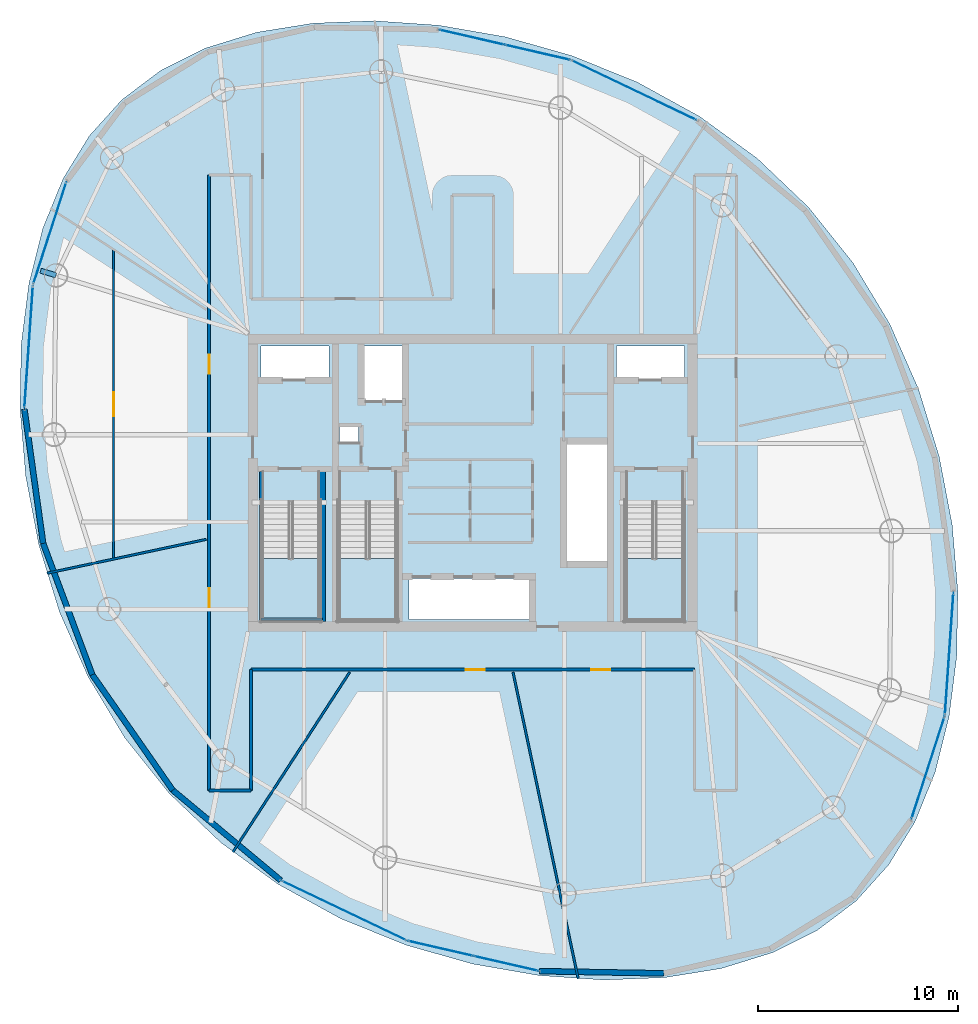
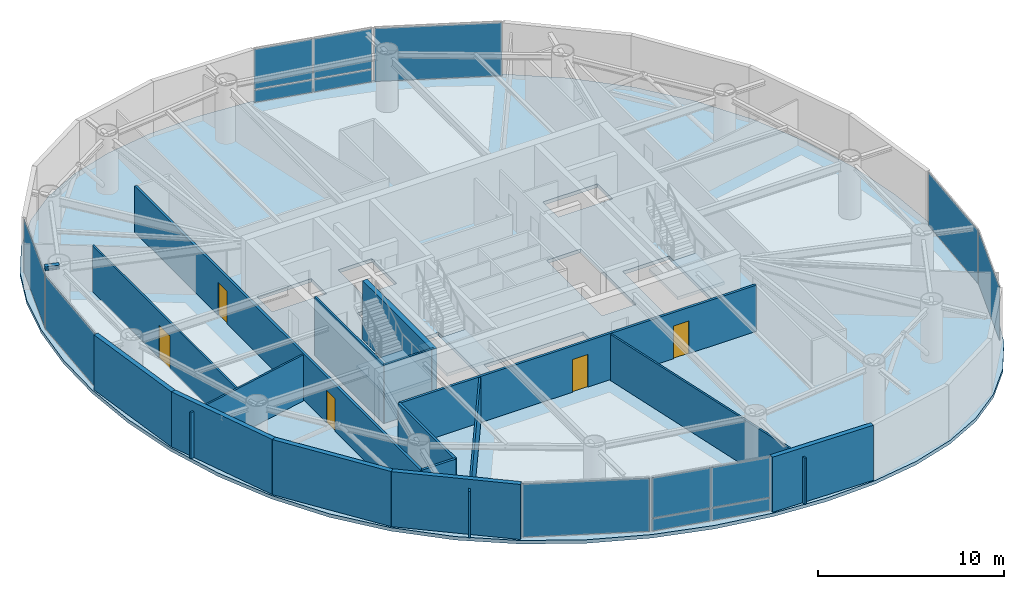
# One storey, part 15 of 22: 16 walls, 14 plates, 5 doors, 4 slabs, 1 beam, 5 openings, 11 elements without a shape of their own.
"""IFC4 building model written with IfcOpenShell, lengths in metres."""

from ifc_helpers import new_model, si_unit, direction, frame, frame_2d, origin, origin_2d, place, context, subcontext, project, spatial, polyline, rectangle, i_section, outline, extrude, material, layer, layer_set, material_profile, profile_set, type_object, element, fill, aggregate, save


model = new_model("IFC4")

# Units and contexts
model_context = context("Model", 3, precision=1e-05, world=origin(), true_north=direction((0.0, 1.0)))
body_context = subcontext(model_context, "Body", "Model", "MODEL_VIEW")
ifc_project = project(units=[si_unit("LENGTHUNIT", "METRE"), si_unit("AREAUNIT", "SQUARE_METRE"), si_unit("VOLUMEUNIT", "CUBIC_METRE"), si_unit("PLANEANGLEUNIT", "RADIAN"), si_unit("MASSUNIT", "GRAM", prefix="KILO")], contexts=[model_context])

# Site, building, storey
site_placement = place(None, origin())
site = spatial("IfcSite", under=ifc_project, at=site_placement, CompositionType="ELEMENT")
building_placement = place(site_placement, origin())
building = spatial("IfcBuilding", under=site, at=building_placement, Name="Bramvorn Convention Spire", CompositionType="ELEMENT")
storey_placement = place(building_placement, frame((0.0, 0.0, 221.25)))
storey = spatial("IfcBuildingStorey", under=building, at=storey_placement, Name="L56", CompositionType="ELEMENT", Elevation=221.25)

# Beam
ifc_material_1 = material(Name="Steel CSA G40.21 Grade 350 (350W)", Category="steel")
ifc_material_profile = material_profile(ifc_material_1, i_section(OverallWidth=0.25390625, OverallDepth=0.2529296875, WebThickness=0.008544921875, FlangeThickness=0.01416015625, FilletRadius=0.011962890625, at=origin_2d()))
ifc_profile_set = profile_set([ifc_material_profile], Name="Steel CSA G40.21 Grade 350 (350W) - W250X73")
beam_type = type_object("IfcBeamType", Name="BM-W250X73", PredefinedType="BEAM", material=ifc_profile_set)
beam_placement = place(storey_placement, frame((17.136962890625, 36.380615234375, 3.493408203125), z_axis=(-0.956599941343, 0.291404447841, 0.0), x_axis=(-0.291404447841, -0.956599941343, 0.0)))
element("IfcBeam", 1, at=beam_placement, inside=storey, type_object=beam_type, Name="L56 slab-edge cantilever tip beam MC10", PredefinedType="BEAM", context=body_context, shape_type="SweptSolid", body=[
    extrude(i_section(OverallWidth=0.25390625, OverallDepth=0.2529296875, WebThickness=0.008544921875, FlangeThickness=0.01416015625, FilletRadius=0.011962890625, at=origin_2d()), origin(), (0.0, 0.0, 1.0), 0.800048828125),
])

# Curtain wall, plate
ifc_material_2 = material(Name="Anodised Bronze Unitised Curtain Wall", Category="aluminium")
ifc_layer_1 = layer(ifc_material_2, 0.179931640625)
ifc_layer_set_1 = layer_set([ifc_layer_1], Name="Anodised Bronze Unitised Curtain Wall - CW-OFF-FRIT")
curtain_wall_type = type_object("IfcCurtainWallType", Name="CW-OFF-FRIT", PredefinedType="USERDEFINED", material=ifc_layer_set_1)
curtain_wall_1_placement = place(storey_placement, origin())
curtain_wall_1 = element("IfcCurtainWall", 2, at=curtain_wall_1_placement, inside=storey, type_object=curtain_wall_type, Name="L56 fritted glass curtain wall 02", ObjectType="UNITISED CURTAIN WALL", PredefinedType="USERDEFINED")
ifc_material_3 = material(Name="Laminated Low-E Glass (Triple IGU Solar Bronze Frit 28%)", Category="glass")
ifc_layer_2 = layer(ifc_material_3, 0.0400390625)
ifc_layer_set_2 = layer_set([ifc_layer_2], Name="Laminated Low-E Glass (Triple IGU Solar Bronze Frit 28%) - PNL-IGU-3")
plate_type = type_object("IfcPlateType", Name="PNL-IGU-3", PredefinedType="CURTAIN_PANEL", material=ifc_layer_set_2)
plate_1_placement = place(storey_placement, frame((60.78955078125, 11.73583984375, 0.06005859375), z_axis=(0.0, 0.0, 1.0), x_axis=(-0.308113095698, -0.951349736038, 0.0)))
plate_1 = element("IfcPlate", 3, at=plate_1_placement, type_object=plate_type, Name="CW3 panel 1.1", PredefinedType="CURTAIN_PANEL", context=body_context, shape_type="SweptSolid", body=[
    extrude(rectangle(XDim=5.344482421875, YDim=0.028076171875, at=origin_2d()), origin(), (0.0, 0.0, 1.0), 3.5),
])
aggregate(curtain_wall_1, [plate_1])

curtain_wall_2_placement = place(storey_placement, origin())
curtain_wall_2 = element("IfcCurtainWall", 4, at=curtain_wall_2_placement, inside=storey, type_object=curtain_wall_type, Name="L56 fritted glass curtain wall 03", ObjectType="UNITISED CURTAIN WALL", PredefinedType="USERDEFINED")
plate_2_placement = place(storey_placement, frame((61.84765625, 17.44091796875, 0.06005859375), z_axis=(0.0, 0.0, 1.0), x_axis=(-0.06939903058, -0.99758898077, 0.0)))
plate_2 = element("IfcPlate", 5, at=plate_2_placement, type_object=plate_type, Name="CW3 panel 1.1", PredefinedType="CURTAIN_PANEL", context=body_context, shape_type="SweptSolid", body=[
    extrude(rectangle(XDim=6.106201171875, YDim=0.028076171875, at=origin_2d()), origin(), (0.0, 0.0, 1.0), 3.5),
])
aggregate(curtain_wall_2, [plate_2])

curtain_wall_3_placement = place(storey_placement, origin())
curtain_wall_3 = element("IfcCurtainWall", 6, at=curtain_wall_3_placement, inside=storey, type_object=curtain_wall_type, Name="L56 fritted glass curtain wall 08", ObjectType="UNITISED CURTAIN WALL", PredefinedType="USERDEFINED")
plate_3_placement = place(storey_placement, frame((46.06494140625, 45.646484375, 0.06005859375), z_axis=(0.0, 0.0, 1.0), x_axis=(0.90251464839, -0.430659156923, 0.0)))
plate_3 = element("IfcPlate", 7, at=plate_3_placement, type_object=plate_type, Name="CW3 panel 1.1", PredefinedType="CURTAIN_PANEL", context=body_context, shape_type="SweptSolid", body=[
    extrude(rectangle(XDim=6.897705078125, YDim=0.028076171875, at=origin_2d()), origin(), (0.0, 0.0, 1.0), 3.5),
])
aggregate(curtain_wall_3, [plate_3])

# Curtain wall, plates
curtain_wall_4_placement = place(storey_placement, origin())
curtain_wall_4 = element("IfcCurtainWall", 8, at=curtain_wall_4_placement, inside=storey, type_object=curtain_wall_type, Name="L56 fritted glass curtain wall 09", ObjectType="UNITISED CURTAIN WALL", PredefinedType="USERDEFINED")
plate_4_placement = place(storey_placement, frame((37.95361328125, 48.29443359375, 0.06005859375), z_axis=(0.0, 0.0, 1.0), x_axis=(0.974576432663, -0.224055298751, 0.0)))
plate_4 = element("IfcPlate", 9, at=plate_4_placement, type_object=plate_type, Name="CW3 panel 1.1", PredefinedType="CURTAIN_PANEL", context=body_context, shape_type="SweptSolid", body=[
    extrude(rectangle(XDim=3.30224609375, YDim=0.028076171875, at=origin_2d()), origin(), (0.0, 0.0, 1.0), 0.81005859375),
])
plate_5_placement = place(storey_placement, frame((37.95361328125, 48.29443359375, 0.93017578125), z_axis=(0.0, 0.0, 1.0), x_axis=(0.974576432663, -0.224055298751, 0.0)))
plate_5 = element("IfcPlate", 10, at=plate_5_placement, type_object=plate_type, Name="CW3 panel 1.2", PredefinedType="CURTAIN_PANEL", context=body_context, shape_type="SweptSolid", body=[
    extrude(rectangle(XDim=3.30224609375, YDim=0.028076171875, at=origin_2d()), origin(), (0.0, 0.0, 1.0), 2.6298828125),
])
plate_6_placement = place(storey_placement, frame((41.23046875, 47.541015625, 0.06005859375), z_axis=(0.0, 0.0, 1.0), x_axis=(0.974576432663, -0.224055298751, 0.0)))
plate_6 = element("IfcPlate", 11, at=plate_6_placement, type_object=plate_type, Name="CW3 panel 2.1", PredefinedType="CURTAIN_PANEL", context=body_context, shape_type="SweptSolid", body=[
    extrude(rectangle(XDim=3.30224609375, YDim=0.028076171875, at=origin_2d()), origin(), (0.0, 0.0, 1.0), 0.81005859375),
])
plate_7_placement = place(storey_placement, frame((41.23046875, 47.541015625, 0.93017578125), z_axis=(0.0, 0.0, 1.0), x_axis=(0.974576432663, -0.224055298751, 0.0)))
plate_7 = element("IfcPlate", 12, at=plate_7_placement, type_object=plate_type, Name="CW3 panel 2.2", PredefinedType="CURTAIN_PANEL", context=body_context, shape_type="SweptSolid", body=[
    extrude(rectangle(XDim=3.30224609375, YDim=0.028076171875, at=origin_2d()), origin(), (0.0, 0.0, 1.0), 2.6298828125),
])
aggregate(curtain_wall_4, [plate_4, plate_5, plate_6, plate_7])

# Curtain wall, plate
curtain_wall_5_placement = place(storey_placement, origin())
curtain_wall_5 = element("IfcCurtainWall", 13, at=curtain_wall_5_placement, inside=storey, type_object=curtain_wall_type, Name="L56 fritted glass curtain wall 14", ObjectType="UNITISED CURTAIN WALL", PredefinedType="USERDEFINED")
plate_8_placement = place(storey_placement, frame((16.831787109375, 38.49462890625, 0.06005859375), z_axis=(0.0, 0.0, 1.0), x_axis=(0.308135022455, 0.951342634352, 0.0)))
plate_8 = element("IfcPlate", 14, at=plate_8_placement, type_object=plate_type, Name="CW3 panel 1.1", PredefinedType="CURTAIN_PANEL", context=body_context, shape_type="SweptSolid", body=[
    extrude(rectangle(XDim=5.344482421875, YDim=0.028076171875, at=origin_2d()), origin(), (0.0, 0.0, 1.0), 3.5),
])
aggregate(curtain_wall_5, [plate_8])

curtain_wall_6_placement = place(storey_placement, origin())
curtain_wall_6 = element("IfcCurtainWall", 15, at=curtain_wall_6_placement, inside=storey, type_object=curtain_wall_type, Name="L56 fritted glass curtain wall 15", ObjectType="UNITISED CURTAIN WALL", PredefinedType="USERDEFINED")
plate_9_placement = place(storey_placement, frame((15.77392578125, 32.78955078125, 0.06005859375), z_axis=(0.0, 0.0, 1.0), x_axis=(0.069381935371, 0.997590169881, 0.0)))
plate_9 = element("IfcPlate", 16, at=plate_9_placement, type_object=plate_type, Name="CW3 panel 1.1", PredefinedType="CURTAIN_PANEL", context=body_context, shape_type="SweptSolid", body=[
    extrude(rectangle(XDim=6.1064453125, YDim=0.028076171875, at=origin_2d()), origin(), (0.0, 0.0, 1.0), 3.5),
])
aggregate(curtain_wall_6, [plate_9])

curtain_wall_7_placement = place(storey_placement, origin())
curtain_wall_7 = element("IfcCurtainWall", 17, at=curtain_wall_7_placement, inside=storey, type_object=curtain_wall_type, Name="L56 fritted glass curtain wall 20", ObjectType="UNITISED CURTAIN WALL", PredefinedType="USERDEFINED")
plate_10_placement = place(storey_placement, frame((31.556640625, 4.583984375, 0.06005859375), z_axis=(0.0, 0.0, 1.0), x_axis=(-0.90251464839, 0.430659156923, 0.0)))
plate_10 = element("IfcPlate", 18, at=plate_10_placement, type_object=plate_type, Name="CW3 panel 1.1", PredefinedType="CURTAIN_PANEL", context=body_context, shape_type="SweptSolid", body=[
    extrude(rectangle(XDim=6.897705078125, YDim=0.028076171875, at=origin_2d()), origin(), (0.0, 0.0, 1.0), 3.5),
])
aggregate(curtain_wall_7, [plate_10])

# Curtain wall, plates
curtain_wall_8_placement = place(storey_placement, origin())
curtain_wall_8 = element("IfcCurtainWall", 19, at=curtain_wall_8_placement, inside=storey, type_object=curtain_wall_type, Name="L56 fritted glass curtain wall 21", ObjectType="UNITISED CURTAIN WALL", PredefinedType="USERDEFINED")
plate_11_placement = place(storey_placement, frame((39.667724609375, 1.93603515625, 0.06005859375), z_axis=(0.0, 0.0, 1.0), x_axis=(-0.974576432663, 0.224055298751, 0.0)))
plate_11 = element("IfcPlate", 20, at=plate_11_placement, type_object=plate_type, Name="CW3 panel 1.1", PredefinedType="CURTAIN_PANEL", context=body_context, shape_type="SweptSolid", body=[
    extrude(rectangle(XDim=3.30224609375, YDim=0.028076171875, at=origin_2d()), origin(), (0.0, 0.0, 1.0), 0.81005859375),
])
plate_12_placement = place(storey_placement, frame((39.667724609375, 1.93603515625, 0.93017578125), z_axis=(0.0, 0.0, 1.0), x_axis=(-0.974576432663, 0.224055298751, 0.0)))
plate_12 = element("IfcPlate", 21, at=plate_12_placement, type_object=plate_type, Name="CW3 panel 1.2", PredefinedType="CURTAIN_PANEL", context=body_context, shape_type="SweptSolid", body=[
    extrude(rectangle(XDim=3.30224609375, YDim=0.028076171875, at=origin_2d()), origin(), (0.0, 0.0, 1.0), 2.6298828125),
])
plate_13_placement = place(storey_placement, frame((36.390869140625, 2.689453125, 0.06005859375), z_axis=(0.0, 0.0, 1.0), x_axis=(-0.974576432663, 0.224055298751, 0.0)))
plate_13 = element("IfcPlate", 22, at=plate_13_placement, type_object=plate_type, Name="CW3 panel 2.1", PredefinedType="CURTAIN_PANEL", context=body_context, shape_type="SweptSolid", body=[
    extrude(rectangle(XDim=3.30224609375, YDim=0.028076171875, at=origin_2d()), origin(), (0.0, 0.0, 1.0), 0.81005859375),
])
plate_14_placement = place(storey_placement, frame((36.390869140625, 2.689453125, 0.93017578125), z_axis=(0.0, 0.0, 1.0), x_axis=(-0.974576432663, 0.224055298751, 0.0)))
plate_14 = element("IfcPlate", 23, at=plate_14_placement, type_object=plate_type, Name="CW3 panel 2.2", PredefinedType="CURTAIN_PANEL", context=body_context, shape_type="SweptSolid", body=[
    extrude(rectangle(XDim=3.30224609375, YDim=0.028076171875, at=origin_2d()), origin(), (0.0, 0.0, 1.0), 2.6298828125),
])
aggregate(curtain_wall_8, [plate_11, plate_12, plate_13, plate_14])

# Stair, slab
ifc_material_4 = material(Name="Concrete C40/50 Precast Stair", Category="concrete")
stair_type = type_object("IfcStairType", Name="ST-TOWER-1550", PredefinedType="HALF_TURN_STAIR", material=ifc_material_4)
stair_1_placement = place(storey_placement, origin())
stair_1 = element("IfcStair", 24, at=stair_1_placement, inside=storey, type_object=stair_type, Name="L56 Protected Exit Stair ST1", PredefinedType="HALF_TURN_STAIR")
ifc_material_5 = material(Name="Concrete C40/50 Stair Landing", Category="concrete")
ifc_layer_3 = layer(ifc_material_5, 0.219970703125)
ifc_layer_set_3 = layer_set([ifc_layer_3], Name="Concrete C40/50 Stair Landing - SLB-STAIR-LANDING")
slab_type_1 = type_object("IfcSlabType", Name="SLB-STAIR-LANDING", PredefinedType="LANDING", material=ifc_layer_set_3)
slab_1_placement = place(storey_placement, frame((0.0, 0.0, 1.72509765625)))
slab_1 = element("IfcSlab", 25, at=slab_1_placement, type_object=slab_type_1, Name="ST1 landing 1", PredefinedType="LANDING", context=body_context, shape_type="SweptSolid", body=[
    extrude(outline(polyline([(27.449951171875, 22.199951171875), (27.449951171875, 19.10009765625), (30.35009765625, 19.10009765625), (30.35009765625, 22.199951171875), (27.449951171875, 22.199951171875)])), origin(), (0.0, 0.0, 1.0), 0.199951171875),
])
aggregate(stair_1, [slab_1])

stair_2_placement = place(storey_placement, origin())
stair_2 = element("IfcStair", 26, at=stair_2_placement, inside=storey, type_object=stair_type, Name="L56 Protected Exit Stair ST2", PredefinedType="HALF_TURN_STAIR")
slab_2_placement = place(storey_placement, frame((0.0, 0.0, 1.72509765625)))
slab_2 = element("IfcSlab", 27, at=slab_2_placement, type_object=slab_type_1, Name="ST2 landing 1", PredefinedType="LANDING", context=body_context, shape_type="SweptSolid", body=[
    extrude(outline(polyline([(45.64990234375, 22.199951171875), (45.64990234375, 19.10009765625), (48.550048828125, 19.10009765625), (48.550048828125, 22.199951171875), (45.64990234375, 22.199951171875)])), origin(), (0.0, 0.0, 1.0), 0.199951171875),
])
aggregate(stair_2, [slab_2])

stair_3_placement = place(storey_placement, origin())
stair_3 = element("IfcStair", 28, at=stair_3_placement, inside=storey, type_object=stair_type, Name="L56 Protected Exit Stair ST3", PredefinedType="HALF_TURN_STAIR")
slab_3_placement = place(storey_placement, frame((0.0, 0.0, 1.72509765625)))
slab_3 = element("IfcSlab", 29, at=slab_3_placement, type_object=slab_type_1, Name="ST3 landing 1", PredefinedType="LANDING", context=body_context, shape_type="SweptSolid", body=[
    extrude(outline(polyline([(31.300048828125, 22.199951171875), (31.300048828125, 19.10009765625), (34.199951171875, 19.10009765625), (34.199951171875, 22.199951171875), (31.300048828125, 22.199951171875)])), origin(), (0.0, 0.0, 1.0), 0.199951171875),
])
aggregate(stair_3, [slab_3])

# Slab
ifc_material_6 = material(Name="Concrete C40/50", Category="concrete")
ifc_layer_4 = layer(ifc_material_6, 0.22998046875)
ifc_layer_set_4 = layer_set([ifc_layer_4], Name="Concrete C40/50 - SLB-Z3-230")
slab_type_2 = type_object("IfcSlabType", Name="SLB-Z3-230", PredefinedType="FLOOR", material=ifc_layer_set_4)
slab_4_placement = place(storey_placement, frame((0.0, 0.0, -0.22998046875)))
element("IfcSlab", 30, at=slab_4_placement, inside=storey, type_object=slab_type_2, Name="L56 tower floor slab", PredefinedType="FLOOR", context=body_context, shape_type="SweptSolid", body=[
    extrude(outline(polyline([(57.186767578125, 5.061279296875), (58.814453125, 6.868408203125), (60.13037109375, 9.015625), (61.13818359375, 11.490478515625), (61.838134765625, 14.26611328125), (62.22412109375, 17.30078125), (62.283203125, 20.537109375), (61.997802734375, 23.903564453125), (61.345947265625, 27.31884765625), (60.30859375, 30.6962890625), (58.872802734375, 33.9501953125), (57.037109375, 37.001220703125), (54.8154296875, 39.781005859375), (52.239990234375, 42.236328125), (49.360595703125, 44.3310546875), (46.244140625, 46.044921875), (42.969970703125, 47.372802734375), (39.62451171875, 48.319580078125), (36.295654296875, 48.897705078125), (33.066650390625, 49.12060546875), (30.009765625, 49.00048828125), (27.18359375, 48.54541015625), (24.630615234375, 47.757080078125), (22.376708984375, 46.633056640625), (20.434814453125, 45.169189453125), (18.806884765625, 43.362060546875), (17.490966796875, 41.21484375), (16.483154296875, 38.739990234375), (15.783203125, 35.96435546875), (15.3974609375, 32.9296875), (15.338134765625, 29.693603515625), (15.623779296875, 26.326904296875), (16.275390625, 22.911865234375), (17.312744140625, 19.5341796875), (18.74853515625, 16.2802734375), (20.584228515625, 13.229248046875), (22.805908203125, 10.44970703125), (25.38134765625, 7.994140625), (28.2607421875, 5.8994140625), (31.377197265625, 4.185546875), (34.651611328125, 2.85791015625), (37.9970703125, 1.910888671875), (41.32568359375, 1.3330078125), (44.5546875, 1.110107421875), (47.611572265625, 1.22998046875), (50.437744140625, 1.685302734375), (52.99072265625, 2.473388671875), (55.24462890625, 3.597412109375), (57.186767578125, 5.061279296875)]), holes=[polyline([(27.449951171875, 25.050048828125), (27.449951171875, 19.10009765625), (30.35009765625, 19.10009765625), (30.35009765625, 25.050048828125), (27.449951171875, 25.050048828125)]), polyline([(45.64990234375, 25.050048828125), (45.64990234375, 19.10009765625), (48.550048828125, 19.10009765625), (48.550048828125, 25.050048828125), (45.64990234375, 25.050048828125)]), polyline([(31.300048828125, 25.050048828125), (31.300048828125, 19.10009765625), (34.199951171875, 19.10009765625), (34.199951171875, 25.050048828125), (31.300048828125, 25.050048828125)]), polyline([(27.39990234375, 31.219970703125), (30.800048828125, 31.219970703125), (30.800048828125, 32.85009765625), (27.39990234375, 32.85009765625), (27.39990234375, 31.219970703125)]), polyline([(45.199951171875, 31.219970703125), (48.60009765625, 31.219970703125), (48.60009765625, 32.85009765625), (45.199951171875, 32.85009765625), (45.199951171875, 31.219970703125)]), polyline([(32.449951171875, 30.14990234375), (34.56005859375, 30.14990234375), (34.56005859375, 32.85009765625), (32.449951171875, 32.85009765625), (32.449951171875, 30.14990234375)]), polyline([(34.800048828125, 19.14990234375), (40.97998046875, 19.14990234375), (40.97998046875, 21.199951171875), (34.800048828125, 21.199951171875), (34.800048828125, 19.14990234375)]), polyline([(42.6201171875, 22.0), (44.75, 22.0), (44.75, 28.0), (42.6201171875, 28.0), (42.6201171875, 22.0)]), polyline([(31.320068359375, 28.02001953125), (32.280029296875, 28.02001953125), (32.280029296875, 28.820068359375), (31.320068359375, 28.820068359375), (31.320068359375, 28.02001953125)])]), origin(), (0.0, 0.0, 1.0), 0.22998046875),
])

# Walls
ifc_material_7 = material(Name="Precast Concrete C40/50 with Bronze Terracotta Rainscreen", Category="masonry")
ifc_layer_5 = layer(ifc_material_7, 0.300048828125)
ifc_layer_set_5 = layer_set([ifc_layer_5], Name="Precast Concrete C40/50 with Bronze Terracotta Rainscreen - WL-EXT-BRONZE-300")
wall_type_1 = type_object("IfcWallType", Name="WL-EXT-BRONZE-300", PredefinedType="SOLIDWALL", material=ifc_layer_set_5)
wall_1_placement = place(storey_placement, frame((16.495849609375, 22.964599609375, 0.0), z_axis=(0.0, 0.0, 1.0), x_axis=(-0.13825677768, 0.990396417313, 0.0)))
element("IfcWall", 31, at=wall_1_placement, inside=storey, type_object=wall_type_1, Name="L56 expressed bronze Gothic lancet pier wall 16", PredefinedType="SOLIDWALL", context=body_context, shape_type="SweptSolid", body=[
    extrude(rectangle(XDim=6.784423828125, YDim=0.280029296875, at=frame_2d((3.39208984375, 0.0))), origin(), (0.0, 0.0, 1.0), 3.6201171875),
])
wall_2_placement = place(storey_placement, frame((18.95458984375, 16.3916015625, 0.0), z_axis=(0.0, 0.0, 1.0), x_axis=(-0.350357019434, 0.936616228203, 0.0)))
element("IfcWall", 32, at=wall_2_placement, inside=storey, type_object=wall_type_1, Name="L56 expressed bronze Gothic lancet pier wall 17", PredefinedType="SOLIDWALL", context=body_context, shape_type="SweptSolid", body=[
    extrude(rectangle(XDim=7.017822265625, YDim=0.280029296875, at=frame_2d((3.5087890625, 0.0))), origin(), (0.0, 0.0, 1.0), 3.6201171875),
])
wall_3_placement = place(storey_placement, frame((22.981201171875, 10.610107421875, 0.0), z_axis=(0.0, 0.0, 1.0), x_axis=(-0.571514171207, 0.820592195984, 0.0)))
element("IfcWall", 33, at=wall_3_placement, inside=storey, type_object=wall_type_1, Name="L56 expressed bronze Gothic lancet pier wall 18", PredefinedType="SOLIDWALL", context=body_context, shape_type="SweptSolid", body=[
    extrude(rectangle(XDim=7.04541015625, YDim=0.280029296875, at=frame_2d((3.522705078125, 0.0))), origin(), (0.0, 0.0, 1.0), 3.6201171875),
])
wall_4_placement = place(storey_placement, frame((28.389892578125, 6.094970703125, 0.0), z_axis=(0.0, 0.0, 1.0), x_axis=(-0.767669978916, 0.640845381876, 0.0)))
element("IfcWall", 34, at=wall_4_placement, inside=storey, type_object=wall_type_1, Name="L56 expressed bronze Gothic lancet pier wall 19", PredefinedType="SOLIDWALL", context=body_context, shape_type="SweptSolid", body=[
    extrude(rectangle(XDim=7.045654296875, YDim=0.280029296875, at=frame_2d((3.52294921875, 0.0))), origin(), (0.0, 0.0, 1.0), 3.6201171875),
])
wall_5_placement = place(storey_placement, frame((47.560791015625, 1.44189453125, 0.0), z_axis=(0.0, 0.0, 1.0), x_axis=(-0.999841547857, 0.017801100499, 0.0)))
element("IfcWall", 35, at=wall_5_placement, inside=storey, type_object=wall_type_1, Name="L56 expressed bronze Gothic lancet pier wall 22", PredefinedType="SOLIDWALL", context=body_context, shape_type="SweptSolid", body=[
    extrude(rectangle(XDim=6.2265625, YDim=0.280029296875, at=frame_2d((3.11328125, 0.0))), origin(), (0.0, 0.0, 1.0), 3.6201171875),
])
ifc_material_8 = material(Name="Lightweight En-Suite & Wet-Wall Partition", Category="gypsum")
ifc_layer_6 = layer(ifc_material_8, 0.110107421875)
ifc_layer_set_6 = layer_set([ifc_layer_6], Name="Lightweight En-Suite & Wet-Wall Partition - WL-PART-110")
wall_type_2 = type_object("IfcWallType", Name="WL-PART-110", PredefinedType="PARTITIONING", material=ifc_layer_set_6)
wall_6_placement = place(storey_placement, frame((24.659912109375, 23.16455078125, 0.0), z_axis=(0.0, 0.0, 1.0), x_axis=(-0.978144691983, -0.207925374944, 0.0)))
element("IfcWall", 36, at=wall_6_placement, inside=storey, type_object=wall_type_2, Name="L56 Tenant suite partition 5", PredefinedType="PARTITIONING", context=body_context, shape_type="SweptSolid", body=[
    extrude(rectangle(XDim=8.15234375, YDim=0.110107421875, at=frame_2d((4.076171875, 0.0))), origin(), (0.0, 0.0, 1.0), 3.034912109375),
])
wall_7_placement = place(storey_placement, frame((31.837158203125, 16.510009765625, 0.0), z_axis=(0.0, 0.0, 1.0), x_axis=(-0.544642851203, -0.838668089672, 0.0)))
element("IfcWall", 37, at=wall_7_placement, inside=storey, type_object=wall_type_2, Name="L56 Tenant suite partition 6", PredefinedType="PARTITIONING", context=body_context, shape_type="SweptSolid", body=[
    extrude(rectangle(XDim=10.731201171875, YDim=0.110107421875, at=frame_2d((5.36572265625, 0.0))), origin(), (0.0, 0.0, 1.0), 3.034912109375),
])
wall_8_placement = place(storey_placement, frame((40.01708984375, 16.510009765625, 0.0), z_axis=(0.0, 0.0, 1.0), x_axis=(0.207914047214, -0.978147099863, 0.0)))
element("IfcWall", 38, at=wall_8_placement, inside=storey, type_object=wall_type_2, Name="L56 Tenant suite partition 7", PredefinedType="PARTITIONING", context=body_context, shape_type="SweptSolid", body=[
    extrude(rectangle(XDim=15.684326171875, YDim=0.110107421875, at=frame_2d((7.84228515625, 0.0))), origin(), (0.0, 0.0, 1.0), 3.034912109375),
])

# Wall, opening, door
wall_9_placement = place(storey_placement, frame((20.020751953125, 22.157958984375, 0.0), z_axis=(0.0, 0.0, 1.0), x_axis=(0.0, 1.0, 0.0)))
wall_9 = element("IfcWall", 39, at=wall_9_placement, inside=storey, type_object=wall_type_2, Name="L56 Associate Office Chamber 4 inner suite partition", PredefinedType="PARTITIONING", context=body_context, shape_type="SweptSolid", body=[
    extrude(rectangle(XDim=15.541748046875, YDim=0.110107421875, at=frame_2d((7.77099609375, 0.0))), origin(), (0.0, 0.0, 1.0), 3.034912109375),
])
opening_1_placement = place(wall_9_placement, frame((7.1708984375, 0.0, 0.0)))
opening_1 = element("IfcOpeningElement", 40, at=opening_1_placement, cuts=wall_9, Name="Opening DSL-12", PredefinedType="OPENING", context=body_context, shape_type="SweptSolid", body=[
    extrude(rectangle(XDim=1.199951171875, YDim=2.14990234375, at=frame_2d((0.60009765625, 1.074951171875))), frame((0.0, 0.06494140625, 0.0), z_axis=(0.0, -1.0, 0.0), x_axis=(1.0, 0.0, 0.0)), (0.0, 0.0, 1.0), 0.130126953125),
])
ifc_material_9 = material(Name="Pocket Sliding Bronze-Framed Glass Suite Door", Category="glass")
door_type_1 = type_object("IfcDoorType", Name="DR-SLIDE-1200", OperationType="NOTDEFINED", PredefinedType="DOOR", material=ifc_material_9)
door_1_placement = place(opening_1_placement, origin())
door_1 = element("IfcDoor", 41, at=door_1_placement, inside=storey, type_object=door_type_1, Name="L56 Inner Suite 4 door", OperationType="SLIDING_TO_RIGHT", OverallHeight=2.14990234375, OverallWidth=1.199951171875, PredefinedType="DOOR", context=body_context, shape_type="SweptSolid", body=[
    extrude(rectangle(XDim=1.199951171875, YDim=2.14990234375, at=frame_2d((0.60009765625, 1.074951171875))), frame((0.0, 0.02490234375, 0.0), z_axis=(0.0, -1.0, 0.0), x_axis=(1.0, 0.0, 0.0)), (0.0, 0.0, 1.0), 0.050048828125),
])
fill(opening_1, door_1)

# Wall, openings, doors
ifc_material_10 = material(Name="Acoustic Metal-Stud Tenant/Corridor Partition", Category="gypsum")
ifc_layer_7 = layer(ifc_material_10, 0.14990234375)
ifc_layer_set_7 = layer_set([ifc_layer_7], Name="Acoustic Metal-Stud Tenant/Corridor Partition - WL-PART-150")
wall_type_3 = type_object("IfcWallType", Name="WL-PART-150", PredefinedType="PARTITIONING", material=ifc_layer_set_7)
wall_10_placement = place(storey_placement, frame((26.89990234375, 16.64990234375, 0.0), z_axis=(0.0, 0.0, 1.0), x_axis=(1.0, 0.0, 0.0)))
wall_10 = element("IfcWall", 42, at=wall_10_placement, inside=storey, type_object=wall_type_3, Name="L56 South H-crossbar wall", PredefinedType="PARTITIONING", context=body_context, shape_type="SweptSolid", body=[
    extrude(rectangle(XDim=22.2001953125, YDim=0.14990234375, at=frame_2d((11.10009765625, 0.0))), origin(), (0.0, 0.0, 1.0), 3.034912109375),
])
opening_2_placement = place(wall_10_placement, frame((10.74365234375, 0.0, 0.0)))
opening_2 = element("IfcOpeningElement", 43, at=opening_2_placement, cuts=wall_10, Name="Opening DH-095", PredefinedType="OPENING", context=body_context, shape_type="SweptSolid", body=[
    extrude(rectangle(XDim=0.949951171875, YDim=2.14990234375, at=frame_2d((0.47509765625, 1.074951171875))), frame((0.0, 0.0849609375, 0.0), z_axis=(0.0, -1.0, 0.0), x_axis=(1.0, 0.0, 0.0)), (0.0, 0.0, 1.0), 0.169921875),
])
opening_3_placement = place(wall_10_placement, frame((17.033203125, 0.0, 0.0)))
opening_3 = element("IfcOpeningElement", 44, at=opening_3_placement, cuts=wall_10, Name="Opening DH-095", PredefinedType="OPENING", context=body_context, shape_type="SweptSolid", body=[
    extrude(rectangle(XDim=0.949951171875, YDim=2.14990234375, at=frame_2d((0.47509765625, 1.074951171875))), frame((0.0, 0.0849609375, 0.0), z_axis=(0.0, -1.0, 0.0), x_axis=(1.0, 0.0, 0.0)), (0.0, 0.0, 1.0), 0.169921875),
])
ifc_material_11 = material(Name="Solid-Core Acoustic Guestroom Entry Door", Category="wood")
door_type_2 = type_object("IfcDoorType", Name="DR-HOTEL-950", OperationType="NOTDEFINED", PredefinedType="DOOR", material=ifc_material_11)
door_2_placement = place(opening_2_placement, origin())
door_2 = element("IfcDoor", 45, at=door_2_placement, inside=storey, type_object=door_type_2, Name="L56 Associate Office Chamber 6 6 door", OperationType="SINGLE_SWING_RIGHT", OverallHeight=2.14990234375, OverallWidth=0.949951171875, PredefinedType="DOOR", context=body_context, shape_type="SweptSolid", body=[
    extrude(rectangle(XDim=0.949951171875, YDim=2.14990234375, at=frame_2d((0.47509765625, 1.074951171875))), frame((0.0, 0.02490234375, 0.0), z_axis=(0.0, -1.0, 0.0), x_axis=(1.0, 0.0, 0.0)), (0.0, 0.0, 1.0), 0.050048828125),
])
fill(opening_2, door_2)
door_3_placement = place(opening_3_placement, origin())
door_3 = element("IfcDoor", 46, at=door_3_placement, inside=storey, type_object=door_type_2, Name="L56 Arbitration Meeting Room 1 7 door", OperationType="SINGLE_SWING_RIGHT", OverallHeight=2.14990234375, OverallWidth=0.949951171875, PredefinedType="DOOR", context=body_context, shape_type="SweptSolid", body=[
    extrude(rectangle(XDim=0.949951171875, YDim=2.14990234375, at=frame_2d((0.47509765625, 1.074951171875))), frame((0.0, 0.02490234375, 0.0), z_axis=(0.0, -1.0, 0.0), x_axis=(1.0, 0.0, 0.0)), (0.0, 0.0, 1.0), 0.050048828125),
])
fill(opening_3, door_3)

wall_11_placement = place(storey_placement, frame((24.800048828125, 10.60009765625, 0.0), z_axis=(0.0, 0.0, 1.0), x_axis=(0.0, 1.0, 0.0)))
wall_11 = element("IfcWall", 47, at=wall_11_placement, inside=storey, type_object=wall_type_3, Name="L56 West N-S gallery outer wall", PredefinedType="PARTITIONING", context=body_context, shape_type="SweptSolid", body=[
    extrude(rectangle(XDim=30.7998046875, YDim=0.14990234375, at=frame_2d((15.39990234375, 0.0))), origin(), (0.0, 0.0, 1.0), 3.034912109375),
])
opening_4_placement = place(wall_11_placement, frame((20.8583984375, 0.0, 0.0)))
opening_4 = element("IfcOpeningElement", 48, at=opening_4_placement, cuts=wall_11, Name="Opening DH-095", PredefinedType="OPENING", context=body_context, shape_type="SweptSolid", body=[
    extrude(rectangle(XDim=0.949951171875, YDim=2.14990234375, at=frame_2d((0.47509765625, 1.074951171875))), frame((0.0, 0.0849609375, 0.0), z_axis=(0.0, -1.0, 0.0), x_axis=(1.0, 0.0, 0.0)), (0.0, 0.0, 1.0), 0.169921875),
])
opening_5_placement = place(wall_11_placement, frame((9.174072265625, 0.0, 0.0)))
opening_5 = element("IfcOpeningElement", 49, at=opening_5_placement, cuts=wall_11, Name="Opening DH-095", PredefinedType="OPENING", context=body_context, shape_type="SweptSolid", body=[
    extrude(rectangle(XDim=0.949951171875, YDim=2.14990234375, at=frame_2d((0.47509765625, 1.074951171875))), frame((0.0, 0.0849609375, 0.0), z_axis=(0.0, -1.0, 0.0), x_axis=(1.0, 0.0, 0.0)), (0.0, 0.0, 1.0), 0.169921875),
])
door_4_placement = place(opening_4_placement, origin())
door_4 = element("IfcDoor", 50, at=door_4_placement, inside=storey, type_object=door_type_2, Name="L56 Associate Office Chamber 4 4 door", OperationType="SINGLE_SWING_RIGHT", OverallHeight=2.14990234375, OverallWidth=0.949951171875, PredefinedType="DOOR", context=body_context, shape_type="SweptSolid", body=[
    extrude(rectangle(XDim=0.949951171875, YDim=2.14990234375, at=frame_2d((0.47509765625, 1.074951171875))), frame((0.0, 0.02490234375, 0.0), z_axis=(0.0, -1.0, 0.0), x_axis=(1.0, 0.0, 0.0)), (0.0, 0.0, 1.0), 0.050048828125),
])
fill(opening_4, door_4)
door_5_placement = place(opening_5_placement, origin())
door_5 = element("IfcDoor", 51, at=door_5_placement, inside=storey, type_object=door_type_2, Name="L56 Associate Office Chamber 5 5 door", OperationType="SINGLE_SWING_LEFT", OverallHeight=2.14990234375, OverallWidth=0.949951171875, PredefinedType="DOOR", context=body_context, shape_type="SweptSolid", body=[
    extrude(rectangle(XDim=0.949951171875, YDim=2.14990234375, at=frame_2d((0.47509765625, 1.074951171875))), frame((0.0, 0.02490234375, 0.0), z_axis=(0.0, -1.0, 0.0), x_axis=(1.0, 0.0, 0.0)), (0.0, 0.0, 1.0), 0.050048828125),
])
fill(opening_5, door_5)

# Walls
wall_12_placement = place(storey_placement, frame((26.89990234375, 10.60009765625, 0.0), z_axis=(0.0, 0.0, 1.0), x_axis=(0.0, 1.0, 0.0)))
element("IfcWall", 52, at=wall_12_placement, inside=storey, type_object=wall_type_3, Name="L56 West gallery SE wall", PredefinedType="PARTITIONING", context=body_context, shape_type="SweptSolid", body=[
    extrude(rectangle(XDim=6.0498046875, YDim=0.14990234375, at=frame_2d((3.02490234375, 0.0))), origin(), (0.0, 0.0, 1.0), 3.034912109375),
])
wall_13_placement = place(storey_placement, frame((24.800048828125, 10.60009765625, 0.0), z_axis=(0.0, 0.0, 1.0), x_axis=(1.0, 0.0, 0.0)))
element("IfcWall", 53, at=wall_13_placement, inside=storey, type_object=wall_type_3, Name="L56 West gallery south end", PredefinedType="PARTITIONING", context=body_context, shape_type="SweptSolid", body=[
    extrude(rectangle(XDim=2.099853515625, YDim=0.14990234375, at=frame_2d((1.0498046875, 0.0))), origin(), (0.0, 0.0, 1.0), 3.034912109375),
])
ifc_material_12 = material(Name="Concrete C50/60", Category="concrete")
ifc_layer_8 = layer(ifc_material_12, 0.300048828125)
ifc_layer_set_8 = layer_set([ifc_layer_8], Name="Concrete C50/60 - WL-POD-STAIR-300")
wall_type_4 = type_object("IfcWallType", Name="WL-POD-STAIR-300", PredefinedType="SHEAR", material=ifc_layer_set_8)
wall_14_placement = place(storey_placement, frame((30.489990234375, 19.050048828125, 0.0), z_axis=(0.0, 0.0, 1.0), x_axis=(0.0, 1.0, 0.0)))
element("IfcWall", 54, at=wall_14_placement, inside=storey, type_object=wall_type_4, Name="L56 ST1 east bearing wall", PredefinedType="SHEAR", context=body_context, shape_type="SweptSolid", body=[
    extrude(rectangle(XDim=7.5, YDim=0.300048828125, at=frame_2d((3.75, 0.0))), origin(), (0.0, 0.0, 1.0), 3.85009765625),
])
ifc_layer_9 = layer(ifc_material_12, 0.1201171875)
ifc_layer_set_9 = layer_set([ifc_layer_9], Name="Concrete C50/60 - WL-STAIR-RC-120")
wall_type_5 = type_object("IfcWallType", Name="WL-STAIR-RC-120", PredefinedType="SHEAR", material=ifc_layer_set_9)
wall_15_placement = place(storey_placement, frame((27.39501953125, 19.10009765625, 0.0), z_axis=(0.0, 0.0, 1.0), x_axis=(0.0, 1.0, 0.0)))
element("IfcWall", 55, at=wall_15_placement, inside=storey, type_object=wall_type_5, Name="L56 ST1 west bearing shear wall", PredefinedType="SHEAR", context=body_context, shape_type="SweptSolid", body=[
    extrude(rectangle(XDim=7.449951171875, YDim=0.1201171875, at=frame_2d((3.72509765625, 0.0))), origin(), (0.0, 0.0, 1.0), 3.85009765625),
])
wall_16_placement = place(storey_placement, frame((27.39501953125, 19.159912109375, 0.0), z_axis=(0.0, 0.0, 1.0), x_axis=(1.0, 0.0, 0.0)))
element("IfcWall", 56, at=wall_16_placement, inside=storey, type_object=wall_type_5, Name="L56 ST1 south bearing shear wall", PredefinedType="SHEAR", context=body_context, shape_type="SweptSolid", body=[
    extrude(rectangle(XDim=3.094970703125, YDim=0.1201171875, at=frame_2d((1.54736328125, 0.0))), origin(), (0.0, 0.0, 1.0), 3.85009765625),
])

save(model, "model.ifc")
